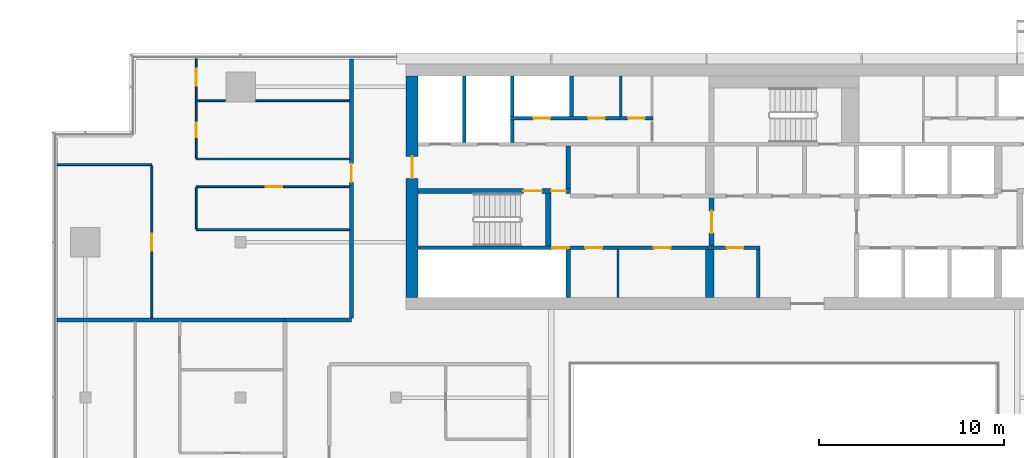
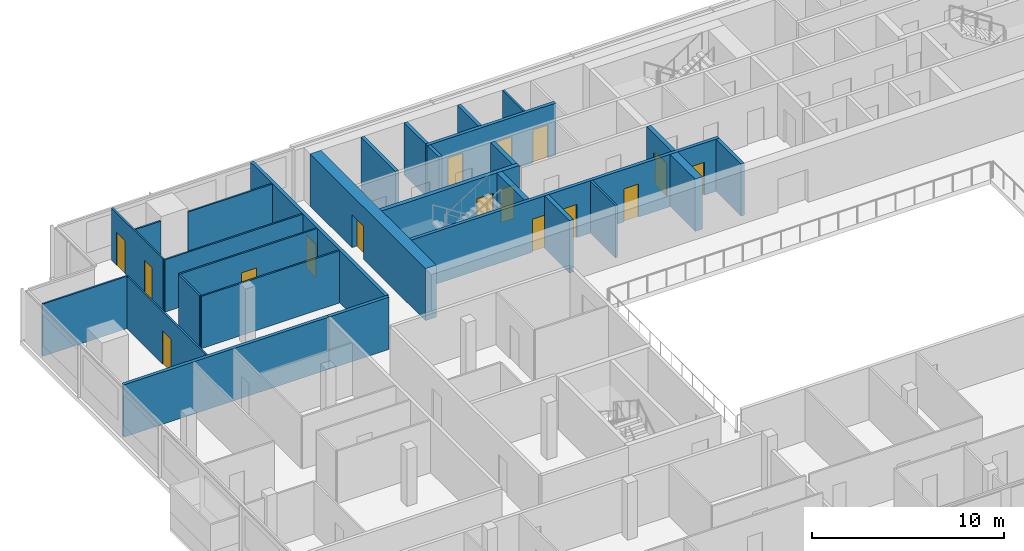
# One storey, part 20 of 29: 28 walls, 16 doors, 16 openings.
"""IFC4 building model written with IfcOpenShell, lengths in metres."""

import ifcopenshell
import ifcopenshell.guid

model = None  # the IFC model being written
_history = None  # IfcOwnerHistory: only IFC2X3 demands one
_inside = {}  # id of a spatial element -> (the spatial element, [elements in it])
_under = {}  # id of a project, library or spatial element -> (it, [spatial elements below it])
_declared = {}  # id of a project -> (the project, [libraries it declares])
_typed = {}  # id of a type object -> (the type object, [elements of that type])
_made_of = {}  # id of a material, layer set ... -> (it, [elements and type objects made of it])


def new_model(schema):
    """Start an empty IFC model of exactly this schema.

    Asked for "IFC4X3", IfcOpenShell would pick the latest addendum, in which some entities
    have other attributes; the version numbers below select the first issue.
    IFC2X3 requires an IfcOwnerHistory on every rooted entity: one is made here for all.
    """
    global model, _history
    if schema == "IFC4X3":
        model = ifcopenshell.file(schema_version=(4, 3, 0, 0))
    else:
        model = ifcopenshell.file(schema=schema)
    _inside.clear()
    _under.clear()
    _declared.clear()
    _typed.clear()
    _made_of.clear()
    _history = None
    if model.schema == "IFC2X3":
        org = make("IfcOrganization", Name="unknown")
        user = make(
            "IfcPersonAndOrganization",
            ThePerson=make("IfcPerson", FamilyName="unknown"),
            TheOrganization=org,
        )
        app = make(
            "IfcApplication",
            ApplicationDeveloper=org,
            Version="unknown",
            ApplicationFullName="unknown",
            ApplicationIdentifier="unknown",
        )
        _history = make(
            "IfcOwnerHistory",
            OwningUser=user,
            OwningApplication=app,
            ChangeAction="ADDED",
            CreationDate=0,
        )
    return model


def make(cls, **values):
    """One entity of the class cls with the attributes given. An attribute that is None is left unset."""
    return model.create_entity(
        cls, **{name: value for name, value in values.items() if value is not None}
    )


def rooted(cls, **values):
    """An entity with a GlobalId (a new one), such as an element, a storey or a relation."""
    return make(cls, GlobalId=ifcopenshell.guid.new(), OwnerHistory=_history, **values)


def si_unit(unit_type, name, prefix=None):
    """IfcSIUnit, for example si_unit("LENGTHUNIT", "METRE", prefix="MILLI")."""
    return make("IfcSIUnit", UnitType=unit_type, Prefix=prefix, Name=name)


def assignment(units):
    """IfcUnitAssignment: the units of a project."""
    return None if units is None else make("IfcUnitAssignment", Units=units)


def point(xyz):
    """IfcCartesianPoint."""
    return None if xyz is None else make("IfcCartesianPoint", Coordinates=xyz)


def direction(xyz):
    """IfcDirection."""
    return None if xyz is None else make("IfcDirection", DirectionRatios=xyz)


def frame(location, z_axis=None, x_axis=None):
    """IfcAxis2Placement3D, a coordinate frame: its origin and axes. An axis left out is left unset."""
    return make(
        "IfcAxis2Placement3D",
        Location=point(location),
        Axis=direction(z_axis),
        RefDirection=direction(x_axis),
    )


def frame_2d(location, x_axis=None):
    """IfcAxis2Placement2D, a coordinate frame in the plane: its origin and x axis."""
    return make(
        "IfcAxis2Placement2D", Location=point(location), RefDirection=direction(x_axis)
    )


def origin():
    """The frame at (0, 0, 0) with its axes left unset."""
    return frame((0.0, 0.0, 0.0))


def place(relative_to, where):
    """IfcLocalPlacement: puts the frame where relative to a parent placement (None: the world)."""
    return make(
        "IfcLocalPlacement", PlacementRelTo=relative_to, RelativePlacement=where
    )


def context(
    kind, dimensions, precision=None, world=None, true_north=None, identifier=None
):
    """IfcGeometricRepresentationContext, for example the 3D "Model" context."""
    return make(
        "IfcGeometricRepresentationContext",
        ContextIdentifier=identifier,
        ContextType=kind,
        CoordinateSpaceDimension=dimensions,
        Precision=precision,
        WorldCoordinateSystem=world,
        TrueNorth=true_north,
    )


def subcontext(parent, identifier, kind, view, scale=None):
    """IfcGeometricRepresentationSubContext, for example "Body" below "Model"."""
    return make(
        "IfcGeometricRepresentationSubContext",
        ContextIdentifier=identifier,
        ContextType=kind,
        ParentContext=parent,
        TargetScale=scale,
        TargetView=view,
    )


def project(units=None, contexts=None):
    """IfcProject with its units and contexts."""
    return rooted(
        "IfcProject",
        Name="project",
        RepresentationContexts=contexts,
        UnitsInContext=assignment(units),
    )


def spatial(cls, under=None, at=None, **own):
    """A site, building, storey or space (cls), placed at a placement, below another one or the project."""
    s = rooted(cls, ObjectPlacement=at, **own)
    if under is not None:
        _under.setdefault(under.id(), (under, []))[1].append(s)
    return s


def profile(cls, at=None, kind="AREA", **sizes):
    """A parametric profile (cls). Its sizes go by their IFC names, for example OverallWidth=200.0."""
    return make(cls, ProfileType=kind, Position=at, **sizes)


def rectangle(**sizes):
    """IfcRectangleProfileDef."""
    return profile("IfcRectangleProfileDef", **sizes)


def extrude(swept, where, along, depth):
    """IfcExtrudedAreaSolid: the profile swept, set in the frame where, extruded along a direction by depth."""
    return make(
        "IfcExtrudedAreaSolid",
        SweptArea=swept,
        Position=where,
        ExtrudedDirection=direction(along),
        Depth=depth,
    )


def shape(context_of_items, identifier, shape_type, items):
    """IfcShapeRepresentation: the items that make up one representation, for example the "Body"."""
    return make(
        "IfcShapeRepresentation",
        ContextOfItems=context_of_items,
        RepresentationIdentifier=identifier,
        RepresentationType=shape_type,
        Items=items,
    )


def material(Name=None, Category=None):
    """IfcMaterial."""
    return make("IfcMaterial", Name=Name, Category=Category)


def layer(
    of_material, thickness, ventilated=None, Name=None, Category=None, Priority=None
):
    """IfcMaterialLayer: one layer of a wall or slab, of a material (None: an air gap)."""
    return make(
        "IfcMaterialLayer",
        Material=of_material,
        LayerThickness=thickness,
        IsVentilated=ventilated,
        Name=Name,
        Category=Category,
        Priority=Priority,
    )


def layer_set(layers, Name=None):
    """IfcMaterialLayerSet."""
    return make("IfcMaterialLayerSet", MaterialLayers=layers, LayerSetName=Name)


def made_of(thing, what):
    """Note that an element or type object is made of a material, layer set ...; save() writes the relation."""
    if what is not None:
        _made_of.setdefault(what.id(), (what, []))[1].append(thing)
    return thing


def type_object(cls, material=None, **own):
    """A type object (cls), such as IfcWallType, which elements share."""
    return made_of(rooted(cls, **own), material)


def element(
    cls,
    number,
    at=None,
    inside=None,
    cuts=None,
    type_object=None,
    material=None,
    context=None,
    identifier="Body",
    shape_type=None,
    held_by="IfcProductDefinitionShape",
    body=None,
    shapes=None,
    **own,
):
    """One element of the class cls, such as IfcWall. Its Tag is "e" and its number.

    at: its placement. inside: the storey or other place that contains it. cuts: it is an
    opening in that element (IfcRelVoidsElement). A single representation is given by context,
    identifier, shape_type and body (its items); several are given by shapes. held_by: the class
    of the entity that holds the representations. save() writes the other relations.
    """
    e = rooted(cls, Tag="e%d" % number, ObjectPlacement=at, **own)
    if body is not None:
        shapes = [shape(context, identifier, shape_type, body)]
    if shapes is not None:
        e.Representation = make(held_by, Representations=shapes)
    if inside is not None:
        _inside.setdefault(inside.id(), (inside, []))[1].append(e)
    if cuts is not None:
        rooted(
            "IfcRelVoidsElement", RelatingBuildingElement=cuts, RelatedOpeningElement=e
        )
    if type_object is not None:
        _typed.setdefault(type_object.id(), (type_object, []))[1].append(e)
    return made_of(e, material)


def fill(opening, filler):
    """IfcRelFillsElement: the door or window that sits in an opening."""
    return rooted(
        "IfcRelFillsElement",
        RelatingOpeningElement=opening,
        RelatedBuildingElement=filler,
    )


def aggregate(whole, parts):
    """IfcRelAggregates: a whole, such as a stair, and the parts it consists of."""
    return rooted("IfcRelAggregates", RelatingObject=whole, RelatedObjects=parts)


def save(model, path):
    """Write the relations noted so far, then the file.

    IfcRelAggregates (storeys below a building ...), IfcRelContainedInSpatialStructure (elements
    in a storey), IfcRelDefinesByType, IfcRelAssociatesMaterial and IfcRelDeclares: one each for
    every whole, place, type object, material and project.
    """
    for whole, parts in _under.values():
        aggregate(whole, parts)
    for where, things in _inside.values():
        rooted(
            "IfcRelContainedInSpatialStructure",
            RelatedElements=things,
            RelatingStructure=where,
        )
    for kind, things in _typed.values():
        rooted("IfcRelDefinesByType", RelatedObjects=things, RelatingType=kind)
    for what, things in _made_of.values():
        rooted("IfcRelAssociatesMaterial", RelatedObjects=things, RelatingMaterial=what)
    for by, libraries in _declared.values():
        rooted("IfcRelDeclares", RelatingContext=by, RelatedDefinitions=libraries)
    model.write(path)


model = new_model("IFC4")

# Units and contexts
model_context = context("Model", 3, precision=1e-05, world=origin(), true_north=direction((0.0, 1.0)))
body_context = subcontext(model_context, "Body", "Model", "MODEL_VIEW")
ifc_project = project(units=[si_unit("LENGTHUNIT", "METRE"), si_unit("AREAUNIT", "SQUARE_METRE"), si_unit("VOLUMEUNIT", "CUBIC_METRE"), si_unit("PLANEANGLEUNIT", "RADIAN"), si_unit("MASSUNIT", "GRAM", prefix="KILO")], contexts=[model_context])

# Site, building, storey
site_placement = place(None, origin())
site = spatial("IfcSite", under=ifc_project, at=site_placement, CompositionType="ELEMENT")
building_placement = place(site_placement, origin())
building = spatial("IfcBuilding", under=site, at=building_placement, Name="Saffron Gate Tower", CompositionType="ELEMENT")
storey_placement = place(building_placement, frame((0.0, 0.0, 227.10009765625)))
storey = spatial("IfcBuildingStorey", under=building, at=storey_placement, Name="L55", CompositionType="ELEMENT", Elevation=227.10009765625)

# Walls
ifc_material_1 = material(Name="Gypsum board partition on steel studs", Category="steel")
ifc_layer_1 = layer(ifc_material_1, 0.199951171875)
ifc_layer_set_1 = layer_set([ifc_layer_1], Name="CW10 Core partition 200")
wall_type_1 = type_object("IfcWallType", Name="CW10 Core partition 200", PredefinedType="PARTITIONING", material=ifc_layer_set_1)
wall_1_placement = place(storey_placement, frame((86.199951171875, 62.39990234375, 0.0), z_axis=(0.0, 0.0, 1.0), x_axis=(0.0, 1.0, 0.0)))
element("IfcWall", 1, at=wall_1_placement, inside=storey, type_object=wall_type_1, Name="Wall CW10-L55-8", PredefinedType="PARTITIONING", context=body_context, shape_type="SweptSolid", body=[
    extrude(rectangle(XDim=2.60009765625, YDim=0.199951171875, at=frame_2d((1.300048828125, 0.0))), origin(), (0.0, 0.0, 1.0), 3.31982421875),
])
ifc_material_2 = material(Name="Concrete C60", Category="concrete")
ifc_layer_2 = layer(ifc_material_2, 0.25)
ifc_layer_set_2 = layer_set([ifc_layer_2], Name="CW14 RC core wall 250 C60")
wall_type_2 = type_object("IfcWallType", Name="CW14 RC core wall 250 C60", PredefinedType="SOLIDWALL", material=ifc_layer_set_2)
wall_2_placement = place(storey_placement, frame((75.925048828125, 62.39990234375, 0.0), z_axis=(0.0, 0.0, 1.0), x_axis=(0.0, 1.0, 0.0)))
element("IfcWall", 2, at=wall_2_placement, inside=storey, type_object=wall_type_2, Name="Wall CW14-L55-5", PredefinedType="SOLIDWALL", context=body_context, shape_type="SweptSolid", body=[
    extrude(rectangle(XDim=2.60009765625, YDim=0.25, at=frame_2d((1.300048828125, 0.0))), origin(), (0.0, 0.0, 1.0), 3.31982421875),
])

# Wall, opening, door
wall_3_placement = place(storey_placement, frame((83.675048828125, 65.199951171875, 0.0), z_axis=(0.0, 0.0, 1.0), x_axis=(0.0, 1.0, 0.0)))
wall_3 = element("IfcWall", 3, at=wall_3_placement, inside=storey, type_object=wall_type_2, Name="Wall CW14-L55-16", PredefinedType="SOLIDWALL", context=body_context, shape_type="SweptSolid", body=[
    extrude(rectangle(XDim=2.60009765625, YDim=0.25, at=frame_2d((1.300048828125, 0.0))), origin(), (0.0, 0.0, 1.0), 3.31982421875),
])
opening_1_placement = place(wall_3_placement, frame((0.699951171875, 0.0, 0.0)))
opening_1 = element("IfcOpeningElement", 4, at=opening_1_placement, cuts=wall_3, Name="Opening CR-07", PredefinedType="OPENING", context=body_context, shape_type="SweptSolid", body=[
    extrude(rectangle(XDim=1.199951171875, YDim=2.10009765625, at=frame_2d((0.60009765625, 1.050048828125))), frame((0.0, 0.135009765625, 0.0), z_axis=(0.0, -1.0, 0.0), x_axis=(1.0, 0.0, 0.0)), (0.0, 0.0, 1.0), 0.27001953125),
])
ifc_material_3 = material(Name="Steel fire door set", Category="steel")
door_type_1 = type_object("IfcDoorType", Name="CD3 Lobby door 1200x2100 EI 120", OperationType="NOTDEFINED", PredefinedType="DOOR", material=ifc_material_3)
door_1_placement = place(opening_1_placement, origin())
door_1 = element("IfcDoor", 5, at=door_1_placement, inside=storey, type_object=door_type_1, Name="DOOR CR-07", OperationType="SINGLE_SWING_RIGHT", OverallHeight=2.10009765625, OverallWidth=1.199951171875, PredefinedType="DOOR", context=body_context, shape_type="SweptSolid", body=[
    extrude(rectangle(XDim=1.199951171875, YDim=2.10009765625, at=frame_2d((0.60009765625, 1.050048828125))), frame((0.0, 0.02490234375, 0.0), z_axis=(0.0, -1.0, 0.0), x_axis=(1.0, 0.0, 0.0)), (0.0, 0.0, 1.0), 0.050048828125),
])
fill(opening_1, door_1)

# Wall, openings, doors
wall_4_placement = place(storey_placement, frame((67.800048828125, 68.175048828125, 0.0), z_axis=(0.0, 0.0, 1.0), x_axis=(1.0, 0.0, 0.0)))
wall_4 = element("IfcWall", 6, at=wall_4_placement, inside=storey, type_object=wall_type_2, Name="Wall CW14-L55-28", PredefinedType="SOLIDWALL", context=body_context, shape_type="SweptSolid", body=[
    extrude(rectangle(XDim=8.25, YDim=0.25, at=frame_2d((4.125, 0.0))), origin(), (0.0, 0.0, 1.0), 3.31982421875),
])
opening_2_placement = place(wall_4_placement, frame((5.699951171875, 0.0, 0.0)))
opening_2 = element("IfcOpeningElement", 7, at=opening_2_placement, cuts=wall_4, Name="Opening CR-15", PredefinedType="OPENING", context=body_context, shape_type="SweptSolid", body=[
    extrude(rectangle(XDim=1.0, YDim=2.10009765625, at=frame_2d((0.5, 1.050048828125))), frame((0.0, 0.135009765625, 0.0), z_axis=(0.0, -1.0, 0.0), x_axis=(1.0, 0.0, 0.0)), (0.0, 0.0, 1.0), 0.27001953125),
])
opening_3_placement = place(wall_4_placement, frame((7.199951171875, 0.0, 0.0)))
opening_3 = element("IfcOpeningElement", 8, at=opening_3_placement, cuts=wall_4, Name="Opening CR-06", PredefinedType="OPENING", context=body_context, shape_type="SweptSolid", body=[
    extrude(rectangle(XDim=0.800048828125, YDim=2.10009765625, at=frame_2d((0.39990234375, 1.050048828125))), frame((0.0, 0.135009765625, 0.0), z_axis=(0.0, -1.0, 0.0), x_axis=(1.0, 0.0, 0.0)), (0.0, 0.0, 1.0), 0.27001953125),
])
door_type_2 = type_object("IfcDoorType", Name="CD5 Stair door 1000x2100 EI 120", OperationType="NOTDEFINED", PredefinedType="DOOR", material=ifc_material_3)
door_2_placement = place(opening_2_placement, origin())
door_2 = element("IfcDoor", 9, at=door_2_placement, inside=storey, type_object=door_type_2, Name="DOOR CR-15", OperationType="SINGLE_SWING_RIGHT", OverallHeight=2.10009765625, OverallWidth=1.0, PredefinedType="DOOR", context=body_context, shape_type="SweptSolid", body=[
    extrude(rectangle(XDim=1.0, YDim=2.10009765625, at=frame_2d((0.5, 1.050048828125))), frame((0.0, 0.02490234375, 0.0), z_axis=(0.0, -1.0, 0.0), x_axis=(1.0, 0.0, 0.0)), (0.0, 0.0, 1.0), 0.050048828125),
])
fill(opening_2, door_2)
door_type_3 = type_object("IfcDoorType", Name="CD6 Lobby door 800x2100 EI 120", OperationType="NOTDEFINED", PredefinedType="DOOR", material=ifc_material_3)
door_3_placement = place(opening_3_placement, origin())
door_3 = element("IfcDoor", 10, at=door_3_placement, inside=storey, type_object=door_type_3, Name="DOOR CR-06", OperationType="SINGLE_SWING_LEFT", OverallHeight=2.10009765625, OverallWidth=0.800048828125, PredefinedType="DOOR", context=body_context, shape_type="SweptSolid", body=[
    extrude(rectangle(XDim=0.800048828125, YDim=2.10009765625, at=frame_2d((0.39990234375, 1.050048828125))), frame((0.0, 0.02490234375, 0.0), z_axis=(0.0, -1.0, 0.0), x_axis=(1.0, 0.0, 0.0)), (0.0, 0.0, 1.0), 0.050048828125),
])
fill(opening_3, door_3)

# Wall
wall_5_placement = place(storey_placement, frame((75.925048828125, 68.300048828125, 0.0), z_axis=(0.0, 0.0, 1.0), x_axis=(0.0, 1.0, 0.0)))
element("IfcWall", 11, at=wall_5_placement, inside=storey, type_object=wall_type_2, Name="Wall CW14-L55-30", PredefinedType="SOLIDWALL", context=body_context, shape_type="SweptSolid", body=[
    extrude(rectangle(XDim=2.300048828125, YDim=0.25, at=frame_2d((1.14990234375, 0.0))), origin(), (0.0, 0.0, 1.0), 3.31982421875),
])

# Wall, openings, doors
ifc_layer_3 = layer(ifc_material_2, 0.199951171875)
ifc_layer_set_3 = layer_set([ifc_layer_3], Name="CW15 RC core wall 200 C60")
wall_type_3 = type_object("IfcWallType", Name="CW15 RC core wall 200 C60", PredefinedType="SOLIDWALL", material=ifc_layer_set_3)
wall_6_placement = place(storey_placement, frame((67.800048828125, 65.10009765625, 0.0), z_axis=(0.0, 0.0, 1.0), x_axis=(1.0, 0.0, 0.0)))
wall_6 = element("IfcWall", 12, at=wall_6_placement, inside=storey, type_object=wall_type_3, Name="Wall CW15-L55-13", PredefinedType="SOLIDWALL", context=body_context, shape_type="SweptSolid", body=[
    extrude(rectangle(XDim=18.5, YDim=0.199951171875, at=frame_2d((9.25, 0.0))), origin(), (0.0, 0.0, 1.0), 3.31982421875),
])
opening_4_placement = place(wall_6_placement, frame((7.27001953125, 0.0, 0.0)))
opening_4 = element("IfcOpeningElement", 13, at=opening_4_placement, cuts=wall_6, Name="Opening CR-49", PredefinedType="OPENING", context=body_context, shape_type="SweptSolid", body=[
    extrude(rectangle(XDim=0.89990234375, YDim=2.10009765625, at=frame_2d((0.449951171875, 1.050048828125))), frame((0.0, 0.10986328125, 0.0), z_axis=(0.0, -1.0, 0.0), x_axis=(1.0, 0.0, 0.0)), (0.0, 0.0, 1.0), 0.219970703125),
])
opening_5_placement = place(wall_6_placement, frame((9.050048828125, 0.0, 0.0)))
opening_5 = element("IfcOpeningElement", 14, at=opening_5_placement, cuts=wall_6, Name="Opening CR-64", PredefinedType="OPENING", context=body_context, shape_type="SweptSolid", body=[
    extrude(rectangle(XDim=0.89990234375, YDim=2.10009765625, at=frame_2d((0.449951171875, 1.050048828125))), frame((0.0, 0.10986328125, 0.0), z_axis=(0.0, -1.0, 0.0), x_axis=(1.0, 0.0, 0.0)), (0.0, 0.0, 1.0), 0.219970703125),
])
opening_6_placement = place(wall_6_placement, frame((12.760009765625, 0.0, 0.0)))
opening_6 = element("IfcOpeningElement", 15, at=opening_6_placement, cuts=wall_6, Name="Opening CR-65", PredefinedType="OPENING", context=body_context, shape_type="SweptSolid", body=[
    extrude(rectangle(XDim=0.89990234375, YDim=2.10009765625, at=frame_2d((0.449951171875, 1.050048828125))), frame((0.0, 0.10986328125, 0.0), z_axis=(0.0, -1.0, 0.0), x_axis=(1.0, 0.0, 0.0)), (0.0, 0.0, 1.0), 0.219970703125),
])
opening_7_placement = place(wall_6_placement, frame((16.699951171875, 0.0, 0.0)))
opening_7 = element("IfcOpeningElement", 16, at=opening_7_placement, cuts=wall_6, Name="Opening CR-69", PredefinedType="OPENING", context=body_context, shape_type="SweptSolid", body=[
    extrude(rectangle(XDim=0.89990234375, YDim=2.10009765625, at=frame_2d((0.449951171875, 1.050048828125))), frame((0.0, 0.10986328125, 0.0), z_axis=(0.0, -1.0, 0.0), x_axis=(1.0, 0.0, 0.0)), (0.0, 0.0, 1.0), 0.219970703125),
])
door_type_4 = type_object("IfcDoorType", Name="CD2 Riser door 900x2100 EI 60", OperationType="NOTDEFINED", PredefinedType="DOOR", material=ifc_material_3)
door_4_placement = place(opening_4_placement, origin())
door_4 = element("IfcDoor", 17, at=door_4_placement, inside=storey, type_object=door_type_4, Name="DOOR CR-49", OperationType="SINGLE_SWING_LEFT", OverallHeight=2.10009765625, OverallWidth=0.89990234375, PredefinedType="DOOR", context=body_context, shape_type="SweptSolid", body=[
    extrude(rectangle(XDim=0.89990234375, YDim=2.10009765625, at=frame_2d((0.449951171875, 1.050048828125))), frame((0.0, 0.02490234375, 0.0), z_axis=(0.0, -1.0, 0.0), x_axis=(1.0, 0.0, 0.0)), (0.0, 0.0, 1.0), 0.050048828125),
])
fill(opening_4, door_4)
door_type_5 = type_object("IfcDoorType", Name="CD9 Room door 900x2100 EI 60", OperationType="NOTDEFINED", PredefinedType="DOOR", material=ifc_material_3)
door_5_placement = place(opening_5_placement, origin())
door_5 = element("IfcDoor", 18, at=door_5_placement, inside=storey, type_object=door_type_5, Name="DOOR CR-64", OperationType="SINGLE_SWING_RIGHT", OverallHeight=2.10009765625, OverallWidth=0.89990234375, PredefinedType="DOOR", context=body_context, shape_type="SweptSolid", body=[
    extrude(rectangle(XDim=0.89990234375, YDim=2.10009765625, at=frame_2d((0.449951171875, 1.050048828125))), frame((0.0, 0.02490234375, 0.0), z_axis=(0.0, -1.0, 0.0), x_axis=(1.0, 0.0, 0.0)), (0.0, 0.0, 1.0), 0.050048828125),
])
fill(opening_5, door_5)
door_6_placement = place(opening_6_placement, origin())
door_6 = element("IfcDoor", 19, at=door_6_placement, inside=storey, type_object=door_type_5, Name="DOOR CR-65", OperationType="SINGLE_SWING_RIGHT", OverallHeight=2.10009765625, OverallWidth=0.89990234375, PredefinedType="DOOR", context=body_context, shape_type="SweptSolid", body=[
    extrude(rectangle(XDim=0.89990234375, YDim=2.10009765625, at=frame_2d((0.449951171875, 1.050048828125))), frame((0.0, 0.02490234375, 0.0), z_axis=(0.0, -1.0, 0.0), x_axis=(1.0, 0.0, 0.0)), (0.0, 0.0, 1.0), 0.050048828125),
])
fill(opening_6, door_6)
door_7_placement = place(opening_7_placement, origin())
door_7 = element("IfcDoor", 20, at=door_7_placement, inside=storey, type_object=door_type_5, Name="DOOR CR-69", OperationType="SINGLE_SWING_RIGHT", OverallHeight=2.10009765625, OverallWidth=0.89990234375, PredefinedType="DOOR", context=body_context, shape_type="SweptSolid", body=[
    extrude(rectangle(XDim=0.89990234375, YDim=2.10009765625, at=frame_2d((0.449951171875, 1.050048828125))), frame((0.0, 0.02490234375, 0.0), z_axis=(0.0, -1.0, 0.0), x_axis=(1.0, 0.0, 0.0)), (0.0, 0.0, 1.0), 0.050048828125),
])
fill(opening_7, door_7)

# Walls
wall_7_placement = place(storey_placement, frame((70.300048828125, 70.800048828125, 0.0), z_axis=(0.0, 0.0, 1.0), x_axis=(0.0, 1.0, 0.0)))
element("IfcWall", 21, at=wall_7_placement, inside=storey, type_object=wall_type_3, Name="Wall CW15-L55-33", PredefinedType="SOLIDWALL", context=body_context, shape_type="SweptSolid", body=[
    extrude(rectangle(XDim=3.599853515625, YDim=0.199951171875, at=frame_2d((1.7998046875, 0.0))), origin(), (0.0, 0.0, 1.0), 3.31982421875),
])
wall_8_placement = place(storey_placement, frame((72.89990234375, 70.800048828125, 0.0), z_axis=(0.0, 0.0, 1.0), x_axis=(0.0, 1.0, 0.0)))
element("IfcWall", 22, at=wall_8_placement, inside=storey, type_object=wall_type_3, Name="Wall CW15-L55-34", PredefinedType="SOLIDWALL", context=body_context, shape_type="SweptSolid", body=[
    extrude(rectangle(XDim=1.199951171875, YDim=0.199951171875, at=frame_2d((0.60009765625, 0.0))), origin(), (0.0, 0.0, 1.0), 3.31982421875),
])

# Wall, openings, doors
wall_9_placement = place(storey_placement, frame((72.800048828125, 72.10009765625, 0.0), z_axis=(0.0, 0.0, 1.0), x_axis=(1.0, 0.0, 0.0)))
wall_9 = element("IfcWall", 23, at=wall_9_placement, inside=storey, type_object=wall_type_3, Name="Wall CW15-L55-41", PredefinedType="SOLIDWALL", context=body_context, shape_type="SweptSolid", body=[
    extrude(rectangle(XDim=7.719970703125, YDim=0.199951171875, at=frame_2d((3.85986328125, 0.0))), origin(), (0.0, 0.0, 1.0), 3.31982421875),
])
opening_8_placement = place(wall_9_placement, frame((1.25, 0.0, 0.0)))
opening_8 = element("IfcOpeningElement", 24, at=opening_8_placement, cuts=wall_9, Name="Opening CR-71", PredefinedType="OPENING", context=body_context, shape_type="SweptSolid", body=[
    extrude(rectangle(XDim=0.89990234375, YDim=2.10009765625, at=frame_2d((0.449951171875, 1.050048828125))), frame((0.0, 0.10986328125, 0.0), z_axis=(0.0, -1.0, 0.0), x_axis=(1.0, 0.0, 0.0)), (0.0, 0.0, 1.0), 0.219970703125),
])
opening_9_placement = place(wall_9_placement, frame((4.199951171875, 0.0, 0.0)))
opening_9 = element("IfcOpeningElement", 25, at=opening_9_placement, cuts=wall_9, Name="Opening CR-55", PredefinedType="OPENING", context=body_context, shape_type="SweptSolid", body=[
    extrude(rectangle(XDim=0.89990234375, YDim=2.10009765625, at=frame_2d((0.449951171875, 1.050048828125))), frame((0.0, 0.10986328125, 0.0), z_axis=(0.0, -1.0, 0.0), x_axis=(1.0, 0.0, 0.0)), (0.0, 0.0, 1.0), 0.219970703125),
])
opening_10_placement = place(wall_9_placement, frame((6.360107421875, 0.0, 0.0)))
opening_10 = element("IfcOpeningElement", 26, at=opening_10_placement, cuts=wall_9, Name="Opening CR-58", PredefinedType="OPENING", context=body_context, shape_type="SweptSolid", body=[
    extrude(rectangle(XDim=0.89990234375, YDim=2.10009765625, at=frame_2d((0.449951171875, 1.050048828125))), frame((0.0, 0.10986328125, 0.0), z_axis=(0.0, -1.0, 0.0), x_axis=(1.0, 0.0, 0.0)), (0.0, 0.0, 1.0), 0.219970703125),
])
door_8_placement = place(opening_8_placement, origin())
door_8 = element("IfcDoor", 27, at=door_8_placement, inside=storey, type_object=door_type_4, Name="DOOR CR-71", OperationType="SINGLE_SWING_LEFT", OverallHeight=2.10009765625, OverallWidth=0.89990234375, PredefinedType="DOOR", context=body_context, shape_type="SweptSolid", body=[
    extrude(rectangle(XDim=0.89990234375, YDim=2.10009765625, at=frame_2d((0.449951171875, 1.050048828125))), frame((0.0, 0.02490234375, 0.0), z_axis=(0.0, -1.0, 0.0), x_axis=(1.0, 0.0, 0.0)), (0.0, 0.0, 1.0), 0.050048828125),
])
fill(opening_8, door_8)
door_9_placement = place(opening_9_placement, origin())
door_9 = element("IfcDoor", 28, at=door_9_placement, inside=storey, type_object=door_type_5, Name="DOOR CR-55", OperationType="SINGLE_SWING_LEFT", OverallHeight=2.10009765625, OverallWidth=0.89990234375, PredefinedType="DOOR", context=body_context, shape_type="SweptSolid", body=[
    extrude(rectangle(XDim=0.89990234375, YDim=2.10009765625, at=frame_2d((0.449951171875, 1.050048828125))), frame((0.0, 0.02490234375, 0.0), z_axis=(0.0, -1.0, 0.0), x_axis=(1.0, 0.0, 0.0)), (0.0, 0.0, 1.0), 0.050048828125),
])
fill(opening_9, door_9)
door_10_placement = place(opening_10_placement, origin())
door_10 = element("IfcDoor", 29, at=door_10_placement, inside=storey, type_object=door_type_5, Name="DOOR CR-58", OperationType="SINGLE_SWING_LEFT", OverallHeight=2.10009765625, OverallWidth=0.89990234375, PredefinedType="DOOR", context=body_context, shape_type="SweptSolid", body=[
    extrude(rectangle(XDim=0.89990234375, YDim=2.10009765625, at=frame_2d((0.449951171875, 1.050048828125))), frame((0.0, 0.02490234375, 0.0), z_axis=(0.0, -1.0, 0.0), x_axis=(1.0, 0.0, 0.0)), (0.0, 0.0, 1.0), 0.050048828125),
])
fill(opening_10, door_10)

# Walls
for number, where, z_axis, x_axis, name in (
    (30, (72.89990234375, 72.199951171875, 0.0), (0.0, 0.0, 1.0), (0.0, 1.0, 0.0), "Wall CW15-L55-43"),
    (31, (76.10009765625, 72.199951171875, 0.0), (0.0, 0.0, 1.0), (0.0, 1.0, 0.0), "Wall CW15-L55-44"),
):
    element("IfcWall", number, at=place(storey_placement, frame(where, z_axis=z_axis, x_axis=x_axis)), inside=storey, type_object=wall_type_3, Name=name, PredefinedType="SOLIDWALL", context=body_context, shape_type="SweptSolid", body=[
        extrude(rectangle(XDim=2.199951171875, YDim=0.199951171875, at=frame_2d((1.10009765625, 0.0))), origin(), (0.0, 0.0, 1.0), 3.31982421875),
    ])
ifc_layer_4 = layer(ifc_material_2, 0.449951171875)
ifc_layer_set_4 = layer_set([ifc_layer_4], Name="CW16 RC core wall 450 C60")
wall_type_4 = type_object("IfcWallType", Name="CW16 RC core wall 450 C60", PredefinedType="SOLIDWALL", material=ifc_layer_set_4)
wall_10_placement = place(storey_placement, frame((83.574951171875, 62.39990234375, 0.0), z_axis=(0.0, 0.0, 1.0), x_axis=(0.0, 1.0, 0.0)))
element("IfcWall", 32, at=wall_10_placement, inside=storey, type_object=wall_type_4, Name="Wall CW16-L55-7", PredefinedType="SOLIDWALL", context=body_context, shape_type="SweptSolid", body=[
    extrude(rectangle(XDim=2.60009765625, YDim=0.449951171875, at=frame_2d((1.300048828125, 0.0))), origin(), (0.0, 0.0, 1.0), 3.31982421875),
])
ifc_layer_5 = layer(ifc_material_2, 0.300048828125)
ifc_layer_set_5 = layer_set([ifc_layer_5], Name="CW17 RC core wall 300 C60")
wall_type_5 = type_object("IfcWallType", Name="CW17 RC core wall 300 C60", PredefinedType="SOLIDWALL", material=ifc_layer_set_5)
wall_11_placement = place(storey_placement, frame((74.85009765625, 65.199951171875, 0.0), z_axis=(0.0, 0.0, 1.0), x_axis=(0.0, 1.0, 0.0)))
element("IfcWall", 33, at=wall_11_placement, inside=storey, type_object=wall_type_5, Name="Wall CW17-L55-15", PredefinedType="SOLIDWALL", context=body_context, shape_type="SweptSolid", body=[
    extrude(rectangle(XDim=2.85009765625, YDim=0.300048828125, at=frame_2d((1.425048828125, 0.0))), origin(), (0.0, 0.0, 1.0), 3.31982421875),
])

# Wall, opening, door
ifc_layer_6 = layer(ifc_material_2, 0.64990234375)
ifc_layer_set_6 = layer_set([ifc_layer_6], Name="CW20 RC core wall 650 C60")
wall_type_6 = type_object("IfcWallType", Name="CW20 RC core wall 650 C60", PredefinedType="SOLIDWALL", material=ifc_layer_set_6)
wall_12_placement = place(storey_placement, frame((67.47509765625, 62.39990234375, 0.0), z_axis=(0.0, 0.0, 1.0), x_axis=(0.0, 1.0, 0.0)))
wall_12 = element("IfcWall", 34, at=wall_12_placement, inside=storey, type_object=wall_type_6, Name="Wall CW20-L55-3", PredefinedType="SOLIDWALL", context=body_context, shape_type="SweptSolid", body=[
    extrude(rectangle(XDim=12.0, YDim=0.64990234375, at=frame_2d((6.0, 0.0))), origin(), (0.0, 0.0, 1.0), 3.31982421875),
])
opening_11_placement = place(wall_12_placement, frame((6.449951171875, 0.0, 0.0)))
opening_11 = element("IfcOpeningElement", 35, at=opening_11_placement, cuts=wall_12, Name="Opening CR-10", PredefinedType="OPENING", context=body_context, shape_type="SweptSolid", body=[
    extrude(rectangle(XDim=1.199951171875, YDim=2.10009765625, at=frame_2d((0.60009765625, 1.050048828125))), frame((0.0, 0.3349609375, 0.0), z_axis=(0.0, -1.0, 0.0), x_axis=(1.0, 0.0, 0.0)), (0.0, 0.0, 1.0), 0.669921875),
])
door_type_6 = type_object("IfcDoorType", Name="CD7 Core entrance door 1200x2100 EI 120", OperationType="NOTDEFINED", PredefinedType="DOOR", material=ifc_material_3)
door_11_placement = place(opening_11_placement, origin())
door_11 = element("IfcDoor", 36, at=door_11_placement, inside=storey, type_object=door_type_6, Name="DOOR CR-10", OperationType="SINGLE_SWING_LEFT", OverallHeight=2.10009765625, OverallWidth=1.199951171875, PredefinedType="DOOR", context=body_context, shape_type="SweptSolid", body=[
    extrude(rectangle(XDim=1.199951171875, YDim=2.10009765625, at=frame_2d((0.60009765625, 1.050048828125))), frame((0.0, 0.02490234375, 0.0), z_axis=(0.0, -1.0, 0.0), x_axis=(1.0, 0.0, 0.0)), (0.0, 0.0, 1.0), 0.050048828125),
])
fill(opening_11, door_11)

# Walls
ifc_layer_7 = layer(ifc_material_1, 0.1201171875)
ifc_layer_set_7 = layer_set([ifc_layer_7], Name="CW8 Core partition 120")
wall_type_7 = type_object("IfcWallType", Name="CW8 Core partition 120", PredefinedType="PARTITIONING", material=ifc_layer_set_7)
wall_13_placement = place(storey_placement, frame((78.610107421875, 62.39990234375, 0.0), z_axis=(0.0, 0.0, 1.0), x_axis=(0.0, 1.0, 0.0)))
element("IfcWall", 37, at=wall_13_placement, inside=storey, type_object=wall_type_7, Name="Wall CW8-L55-6", PredefinedType="PARTITIONING", context=body_context, shape_type="SweptSolid", body=[
    extrude(rectangle(XDim=2.60009765625, YDim=0.1201171875, at=frame_2d((1.300048828125, 0.0))), origin(), (0.0, 0.0, 1.0), 3.31982421875),
])
wall_14_placement = place(storey_placement, frame((78.760009765625, 72.199951171875, 0.0), z_axis=(0.0, 0.0, 1.0), x_axis=(0.0, 1.0, 0.0)))
element("IfcWall", 38, at=wall_14_placement, inside=storey, type_object=wall_type_7, Name="Wall CW8-L55-45", PredefinedType="PARTITIONING", context=body_context, shape_type="SweptSolid", body=[
    extrude(rectangle(XDim=2.199951171875, YDim=0.1201171875, at=frame_2d((1.10009765625, 0.0))), origin(), (0.0, 0.0, 1.0), 3.31982421875),
])
ifc_material_4 = material(Name="Plasterboard on steel studs", Category="steel")
ifc_layer_8 = layer(ifc_material_4, 0.10009765625)
ifc_layer_set_8 = layer_set([ifc_layer_8], Name="PW1 Partition 100")
wall_type_8 = type_object("IfcWallType", Name="PW1 Partition 100", PredefinedType="PARTITIONING", material=ifc_layer_set_8)
wall_15_placement = place(storey_placement, frame((55.800048828125, 66.0810546875, 0.0), z_axis=(0.0, 0.0, 1.0), x_axis=(1.0, 0.0, 0.0)))
element("IfcWall", 39, at=wall_15_placement, inside=storey, type_object=wall_type_8, Name="Partition D3-45", PredefinedType="PARTITIONING", context=body_context, shape_type="SweptSolid", body=[
    extrude(rectangle(XDim=8.300048828125, YDim=0.10009765625, at=frame_2d((4.14990234375, 0.0))), origin(), (0.0, 0.0, 1.0), 3.31982421875),
])

# Wall, opening, door
wall_16_placement = place(storey_placement, frame((64.10009765625, 68.39990234375, 0.0), z_axis=(0.0, 0.0, 1.0), x_axis=(-1.0, 0.0, 0.0)))
wall_16 = element("IfcWall", 40, at=wall_16_placement, inside=storey, type_object=wall_type_8, Name="Partition D3-47", PredefinedType="PARTITIONING", context=body_context, shape_type="SweptSolid", body=[
    extrude(rectangle(XDim=8.300048828125, YDim=0.10009765625, at=frame_2d((4.14990234375, 0.0))), origin(), (0.0, 0.0, 1.0), 3.31982421875),
])
opening_12_placement = place(wall_16_placement, frame((3.64990234375, 0.0, 0.0)))
opening_12 = element("IfcOpeningElement", 41, at=opening_12_placement, cuts=wall_16, Name="Opening D3-29", PredefinedType="OPENING", context=body_context, shape_type="SweptSolid", body=[
    extrude(rectangle(XDim=0.89990234375, YDim=2.10009765625, at=frame_2d((0.449951171875, 1.050048828125))), frame((0.0, 0.06005859375, 0.0), z_axis=(0.0, -1.0, 0.0), x_axis=(1.0, 0.0, 0.0)), (0.0, 0.0, 1.0), 0.1201171875),
])
ifc_material_5 = material(Name="Timber door set", Category="wood")
door_type_7 = type_object("IfcDoorType", Name="RD1 Room door 900x2100", OperationType="NOTDEFINED", PredefinedType="DOOR", material=ifc_material_5)
door_12_placement = place(opening_12_placement, origin())
door_12 = element("IfcDoor", 42, at=door_12_placement, inside=storey, type_object=door_type_7, Name="Door D3-29", OperationType="SINGLE_SWING_LEFT", OverallHeight=2.10009765625, OverallWidth=0.89990234375, PredefinedType="DOOR", context=body_context, shape_type="SweptSolid", body=[
    extrude(rectangle(XDim=0.89990234375, YDim=2.10009765625, at=frame_2d((0.449951171875, 1.050048828125))), frame((0.0, 0.02490234375, 0.0), z_axis=(0.0, -1.0, 0.0), x_axis=(1.0, 0.0, 0.0)), (0.0, 0.0, 1.0), 0.050048828125),
])
fill(opening_12, door_12)

# Walls
wall_17_placement = place(storey_placement, frame((48.280029296875, 69.60009765625, 0.0), z_axis=(0.0, 0.0, 1.0), x_axis=(1.0, 0.0, 0.0)))
element("IfcWall", 43, at=wall_17_placement, inside=storey, type_object=wall_type_8, Name="Partition D3-48", PredefinedType="PARTITIONING", context=body_context, shape_type="SweptSolid", body=[
    extrude(rectangle(XDim=5.119873046875, YDim=0.10009765625, at=frame_2d((2.56005859375, 0.0))), origin(), (0.0, 0.0, 1.0), 3.31982421875),
])
wall_18_placement = place(storey_placement, frame((55.800048828125, 69.89990234375, 0.0), z_axis=(0.0, 0.0, 1.0), x_axis=(1.0, 0.0, 0.0)))
element("IfcWall", 44, at=wall_18_placement, inside=storey, type_object=wall_type_8, Name="Partition D3-50", PredefinedType="PARTITIONING", context=body_context, shape_type="SweptSolid", body=[
    extrude(rectangle(XDim=8.300048828125, YDim=0.10009765625, at=frame_2d((4.14990234375, 0.0))), origin(), (0.0, 0.0, 1.0), 3.31982421875),
])
wall_19_placement = place(storey_placement, frame((55.85009765625, 73.0546875, 0.0), z_axis=(0.0, 0.0, 1.0), x_axis=(1.0, 0.0, 0.0)))
element("IfcWall", 45, at=wall_19_placement, inside=storey, type_object=wall_type_8, Name="Partition D3-51", PredefinedType="PARTITIONING", context=body_context, shape_type="SweptSolid", body=[
    extrude(rectangle(XDim=1.52978515625, YDim=0.10009765625, at=frame_2d((0.764892578125, 0.0))), origin(), (0.0, 0.0, 1.0), 3.31982421875),
])
wall_20_placement = place(storey_placement, frame((59.02001953125, 73.0546875, 0.0), z_axis=(0.0, 0.0, 1.0), x_axis=(1.0, 0.0, 0.0)))
element("IfcWall", 46, at=wall_20_placement, inside=storey, type_object=wall_type_8, Name="Partition D3-52", PredefinedType="PARTITIONING", context=body_context, shape_type="SweptSolid", body=[
    extrude(rectangle(XDim=5.080078125, YDim=0.10009765625, at=frame_2d((2.5400390625, 0.0))), origin(), (0.0, 0.0, 1.0), 3.31982421875),
])

# Wall, opening, door
wall_21_placement = place(storey_placement, frame((53.39990234375, 61.300048828125, 0.0), z_axis=(0.0, 0.0, 1.0), x_axis=(0.0, 1.0, 0.0)))
wall_21 = element("IfcWall", 47, at=wall_21_placement, inside=storey, type_object=wall_type_8, Name="Partition D3-58", PredefinedType="PARTITIONING", context=body_context, shape_type="SweptSolid", body=[
    extrude(rectangle(XDim=8.25, YDim=0.10009765625, at=frame_2d((4.125, 0.0))), origin(), (0.0, 0.0, 1.0), 3.31982421875),
])
opening_13_placement = place(wall_21_placement, frame((3.64990234375, 0.0, 0.0)))
opening_13 = element("IfcOpeningElement", 48, at=opening_13_placement, cuts=wall_21, Name="Opening D3-28", PredefinedType="OPENING", context=body_context, shape_type="SweptSolid", body=[
    extrude(rectangle(XDim=0.89990234375, YDim=2.10009765625, at=frame_2d((0.449951171875, 1.050048828125))), frame((0.0, 0.06005859375, 0.0), z_axis=(0.0, -1.0, 0.0), x_axis=(1.0, 0.0, 0.0)), (0.0, 0.0, 1.0), 0.1201171875),
])
door_13_placement = place(opening_13_placement, origin())
door_13 = element("IfcDoor", 49, at=door_13_placement, inside=storey, type_object=door_type_7, Name="Door D3-28", OperationType="SINGLE_SWING_LEFT", OverallHeight=2.10009765625, OverallWidth=0.89990234375, PredefinedType="DOOR", context=body_context, shape_type="SweptSolid", body=[
    extrude(rectangle(XDim=0.89990234375, YDim=2.10009765625, at=frame_2d((0.449951171875, 1.050048828125))), frame((0.0, 0.02490234375, 0.0), z_axis=(0.0, -1.0, 0.0), x_axis=(1.0, 0.0, 0.0)), (0.0, 0.0, 1.0), 0.050048828125),
])
fill(opening_13, door_13)

# Wall
wall_22_placement = place(storey_placement, frame((55.800048828125, 68.35009765625, 0.0), z_axis=(0.0, 0.0, 1.0), x_axis=(0.0, -1.0, 0.0)))
element("IfcWall", 50, at=wall_22_placement, inside=storey, type_object=wall_type_8, Name="Partition D3-62", PredefinedType="PARTITIONING", context=body_context, shape_type="SweptSolid", body=[
    extrude(rectangle(XDim=2.218994140625, YDim=0.10009765625, at=frame_2d((1.109375, 0.0))), origin(), (0.0, 0.0, 1.0), 3.31982421875),
])

# Wall, openings, doors
wall_23_placement = place(storey_placement, frame((55.800048828125, 75.320068359375, 0.0), z_axis=(0.0, 0.0, 1.0), x_axis=(0.0, -1.0, 0.0)))
wall_23 = element("IfcWall", 51, at=wall_23_placement, inside=storey, type_object=wall_type_8, Name="Partition D3-63", PredefinedType="PARTITIONING", context=body_context, shape_type="SweptSolid", body=[
    extrude(rectangle(XDim=5.3701171875, YDim=0.10009765625, at=frame_2d((2.68505859375, 0.0))), origin(), (0.0, 0.0, 1.0), 3.31982421875),
])
opening_14_placement = place(wall_23_placement, frame((0.54248046875, 0.0, 0.0)))
opening_14 = element("IfcOpeningElement", 52, at=opening_14_placement, cuts=wall_23, Name="Opening D3-30", PredefinedType="OPENING", context=body_context, shape_type="SweptSolid", body=[
    extrude(rectangle(XDim=0.89990234375, YDim=2.10009765625, at=frame_2d((0.449951171875, 1.050048828125))), frame((0.0, 0.06005859375, 0.0), z_axis=(0.0, -1.0, 0.0), x_axis=(1.0, 0.0, 0.0)), (0.0, 0.0, 1.0), 0.1201171875),
])
opening_15_placement = place(wall_23_placement, frame((3.442626953125, 0.0, 0.0)))
opening_15 = element("IfcOpeningElement", 53, at=opening_15_placement, cuts=wall_23, Name="Opening D3-47", PredefinedType="OPENING", context=body_context, shape_type="SweptSolid", body=[
    extrude(rectangle(XDim=0.800048828125, YDim=2.10009765625, at=frame_2d((0.39990234375, 1.050048828125))), frame((0.0, 0.06005859375, 0.0), z_axis=(0.0, -1.0, 0.0), x_axis=(1.0, 0.0, 0.0)), (0.0, 0.0, 1.0), 0.1201171875),
])
door_14_placement = place(opening_14_placement, origin())
door_14 = element("IfcDoor", 54, at=door_14_placement, inside=storey, type_object=door_type_7, Name="Door D3-30", OperationType="SINGLE_SWING_LEFT", OverallHeight=2.10009765625, OverallWidth=0.89990234375, PredefinedType="DOOR", context=body_context, shape_type="SweptSolid", body=[
    extrude(rectangle(XDim=0.89990234375, YDim=2.10009765625, at=frame_2d((0.449951171875, 1.050048828125))), frame((0.0, 0.02490234375, 0.0), z_axis=(0.0, -1.0, 0.0), x_axis=(1.0, 0.0, 0.0)), (0.0, 0.0, 1.0), 0.050048828125),
])
fill(opening_14, door_14)
door_type_8 = type_object("IfcDoorType", Name="RD2 Bathroom door 800x2100", OperationType="NOTDEFINED", PredefinedType="DOOR", material=ifc_material_5)
door_15_placement = place(opening_15_placement, origin())
door_15 = element("IfcDoor", 55, at=door_15_placement, inside=storey, type_object=door_type_8, Name="Door D3-47", OperationType="SINGLE_SWING_RIGHT", OverallHeight=2.10009765625, OverallWidth=0.800048828125, PredefinedType="DOOR", context=body_context, shape_type="SweptSolid", body=[
    extrude(rectangle(XDim=0.800048828125, YDim=2.10009765625, at=frame_2d((0.39990234375, 1.050048828125))), frame((0.0, 0.02490234375, 0.0), z_axis=(0.0, -1.0, 0.0), x_axis=(1.0, 0.0, 0.0)), (0.0, 0.0, 1.0), 0.050048828125),
])
fill(opening_15, door_15)

# Walls
ifc_material_6 = material(Name="Clay brick masonry, rendered", Category="masonry")
ifc_layer_9 = layer(ifc_material_6, 0.199951171875)
ifc_layer_set_9 = layer_set([ifc_layer_9], Name="PW2 Demising wall 200")
wall_type_9 = type_object("IfcWallType", Name="PW2 Demising wall 200", PredefinedType="PARTITIONING", material=ifc_layer_set_9)
wall_24_placement = place(storey_placement, frame((48.280029296875, 61.199951171875, 0.0), z_axis=(0.0, 0.0, 1.0), x_axis=(1.0, 0.0, 0.0)))
element("IfcWall", 56, at=wall_24_placement, inside=storey, type_object=wall_type_9, Name="Wall D3-40", PredefinedType="PARTITIONING", context=body_context, shape_type="SweptSolid", body=[
    extrude(rectangle(XDim=12.320068359375, YDim=0.199951171875, at=frame_2d((6.16015625, 0.0))), origin(), (0.0, 0.0, 1.0), 3.31982421875),
])
ifc_layer_10 = layer(ifc_material_6, 0.199951171875)
ifc_layer_set_10 = layer_set([ifc_layer_10], Name="PW3 Corridor wall 200")
wall_type_10 = type_object("IfcWallType", Name="PW3 Corridor wall 200", PredefinedType="PARTITIONING", material=ifc_layer_set_10)
wall_25_placement = place(storey_placement, frame((60.60009765625, 61.199951171875, 0.0), z_axis=(0.0, 0.0, 1.0), x_axis=(1.0, 0.0, 0.0)))
element("IfcWall", 57, at=wall_25_placement, inside=storey, type_object=wall_type_10, Name="Wall D3-38", PredefinedType="PARTITIONING", context=body_context, shape_type="SweptSolid", body=[
    extrude(rectangle(XDim=3.599853515625, YDim=0.199951171875, at=frame_2d((1.7998046875, 0.0))), origin(), (0.0, 0.0, 1.0), 3.31982421875),
])

# Wall, opening, door
wall_26_placement = place(storey_placement, frame((64.199951171875, 61.300048828125, 0.0), z_axis=(0.0, 0.0, 1.0), x_axis=(0.0, 1.0, 0.0)))
wall_26 = element("IfcWall", 58, at=wall_26_placement, inside=storey, type_object=wall_type_10, Name="Wall D3-70", PredefinedType="PARTITIONING", context=body_context, shape_type="SweptSolid", body=[
    extrude(rectangle(XDim=14.02001953125, YDim=0.199951171875, at=frame_2d((7.010009765625, 0.0))), origin(), (0.0, 0.0, 1.0), 3.31982421875),
])
opening_16_placement = place(wall_26_placement, frame((7.35009765625, 0.0, 0.0)))
opening_16 = element("IfcOpeningElement", 59, at=opening_16_placement, cuts=wall_26, Name="Opening D3-5", PredefinedType="OPENING", context=body_context, shape_type="SweptSolid", body=[
    extrude(rectangle(XDim=1.0, YDim=2.10009765625, at=frame_2d((0.5, 1.050048828125))), frame((0.0, 0.10986328125, 0.0), z_axis=(0.0, -1.0, 0.0), x_axis=(1.0, 0.0, 0.0)), (0.0, 0.0, 1.0), 0.219970703125),
])
ifc_material_7 = material(Name="Timber fire door set", Category="wood")
door_type_9 = type_object("IfcDoorType", Name="FD1 Flat entry door 1000x2100", OperationType="NOTDEFINED", PredefinedType="DOOR", material=ifc_material_7)
door_16_placement = place(opening_16_placement, origin())
door_16 = element("IfcDoor", 60, at=door_16_placement, inside=storey, type_object=door_type_9, Name="Door D3-5", OperationType="SINGLE_SWING_LEFT", OverallHeight=2.10009765625, OverallWidth=1.0, PredefinedType="DOOR", context=body_context, shape_type="SweptSolid", body=[
    extrude(rectangle(XDim=1.0, YDim=2.10009765625, at=frame_2d((0.5, 1.050048828125))), frame((0.0, 0.02490234375, 0.0), z_axis=(0.0, -1.0, 0.0), x_axis=(1.0, 0.0, 0.0)), (0.0, 0.0, 1.0), 0.050048828125),
])
fill(opening_16, door_16)

save(model, "model.ifc")
